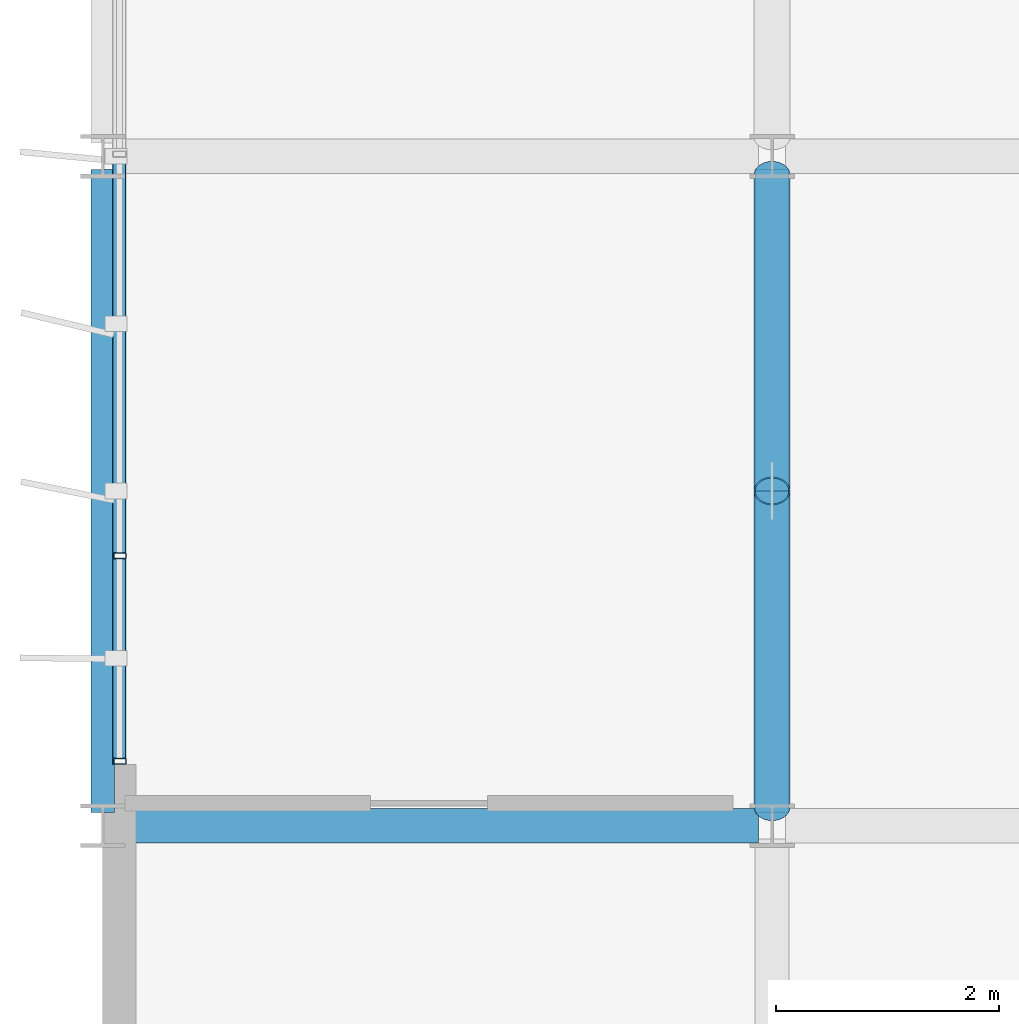
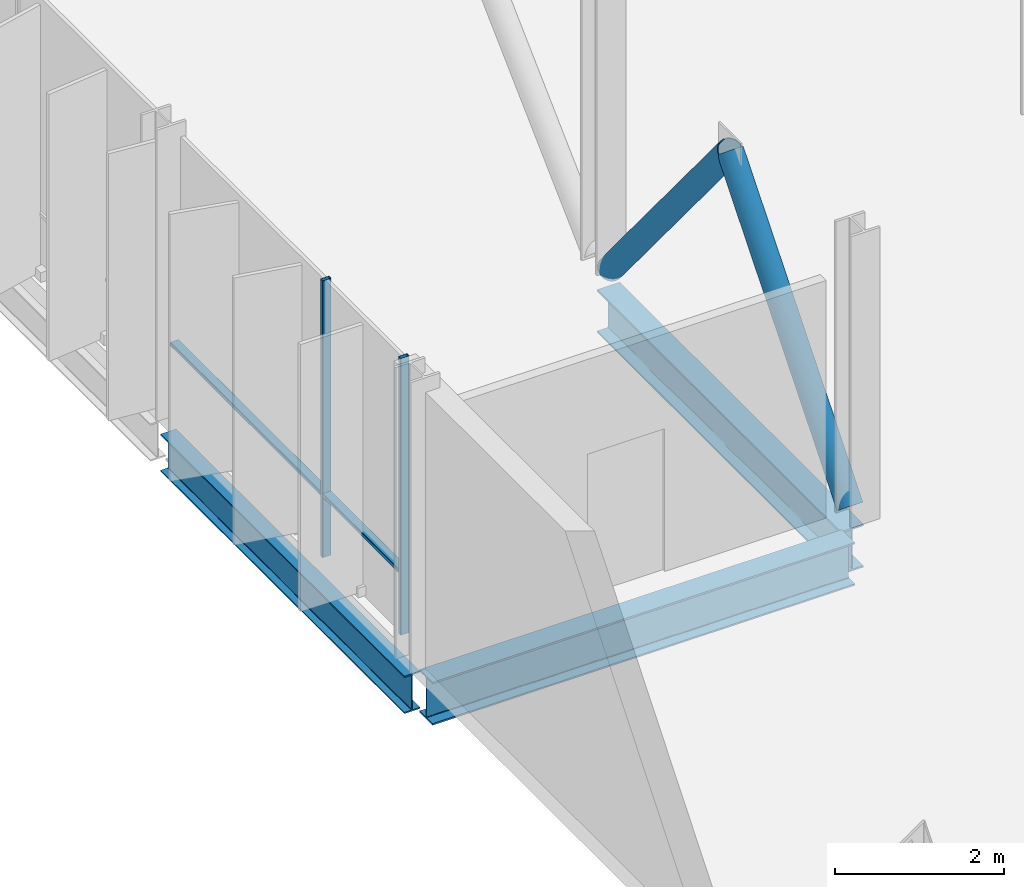
# One storey, part 3 of 33: 6 members, 3 beams, 1 element without a shape of its own.
"""IFC4 building model written with IfcOpenShell, lengths in metres."""

from ifc_helpers import new_model, si_unit, direction, frame, origin, origin_2d, place, context, subcontext, project, spatial, hollow_rectangle, hollow_circle, i_section, extrude, material, layer, layer_set, material_profile, profile_set, type_object, element, aggregate, save


model = new_model("IFC4")

# Units and contexts
model_context = context("Model", 3, precision=1e-05, world=origin(), true_north=direction((0.0, 1.0)))
body_context = subcontext(model_context, "Body", "Model", "MODEL_VIEW")
ifc_project = project(units=[si_unit("LENGTHUNIT", "METRE"), si_unit("AREAUNIT", "SQUARE_METRE"), si_unit("VOLUMEUNIT", "CUBIC_METRE"), si_unit("PLANEANGLEUNIT", "RADIAN"), si_unit("MASSUNIT", "GRAM", prefix="KILO")], contexts=[model_context])

# Site, building, storey
site_placement = place(None, origin())
site = spatial("IfcSite", under=ifc_project, at=site_placement, CompositionType="ELEMENT")
building_placement = place(site_placement, origin())
building = spatial("IfcBuilding", under=site, at=building_placement, Name="Brevholm Reach", CompositionType="ELEMENT")
storey_placement = place(building_placement, frame((0.0, 0.0, 179.0)))
storey = spatial("IfcBuildingStorey", under=building, at=storey_placement, Name="L54", CompositionType="ELEMENT", Elevation=179.0)

# Beams
ifc_material_1 = material(Name="Structural Steel S355J2", Category="steel")
ifc_material_profile_1 = material_profile(ifc_material_1, i_section(OverallWidth=0.210693359375, OverallDepth=0.53955078125, WebThickness=0.01171875, FlangeThickness=0.018798828125, FilletRadius=0.0126953125, at=origin_2d()), Name="UKB 533x210x109")
ifc_profile_set_1 = profile_set([ifc_material_profile_1], Name="Structural Steel S355J2")
beam_type_1 = type_object("IfcBeamType", Name="BM-SP539", PredefinedType="SPANDREL", material=ifc_profile_set_1)
beam_placement = place(storey_placement, frame((0.0, 10.1201171875, -0.52978515625), z_axis=(0.0, 1.0, 0.0), x_axis=(-1.0, 0.0, 0.0)))
element("IfcBeam", 1, at=beam_placement, inside=storey, type_object=beam_type_1, Name="L54 SP-01B Framing Beam", PredefinedType="SPANDREL", context=body_context, shape_type="SweptSolid", body=[
    extrude(i_section(OverallWidth=0.210693359375, OverallDepth=0.53955078125, WebThickness=0.01171875, FlangeThickness=0.018798828125, FilletRadius=0.0126953125, at=origin_2d()), origin(), (0.0, 0.0, 1.0), 5.759765625),
])
ifc_material_2 = material(Name="Structural Steel S355J2", Category="steel")
ifc_material_profile_2 = material_profile(ifc_material_2, i_section(OverallWidth=0.30712890625, OverallDepth=0.6201171875, WebThickness=0.01416015625, FlangeThickness=0.023681640625, FilletRadius=0.0166015625, at=origin_2d()), Name="UKB 610x305x179")
ifc_profile_set_2 = profile_set([ifc_material_profile_2], Name="Structural Steel S355J2")
beam_type_2 = type_object("IfcBeamType", Name="BM-UKB610H", PredefinedType="USERDEFINED", material=ifc_profile_set_2)
for number, where, z_axis, x_axis, name in (
    (2, (0.1201171875, 10.0, -0.570068359375), (1.0, 0.0, 0.0), (0.0, 1.0, 0.0), "L54 G-06 Framing Beam"),
    (3, (6.0, 10.1201171875, -0.570068359375), (0.0, 1.0, 0.0), (-1.0, 0.0, 0.0), "L54 G-06 Framing Beam"),
):
    element("IfcBeam", number, at=place(storey_placement, frame(where, z_axis=z_axis, x_axis=x_axis)), inside=storey, type_object=beam_type_2, Name=name, ObjectType="GIRDER", PredefinedType="USERDEFINED", context=body_context, shape_type="SweptSolid", body=[
        extrude(i_section(OverallWidth=0.30712890625, OverallDepth=0.6201171875, WebThickness=0.01416015625, FlangeThickness=0.023681640625, FilletRadius=0.0166015625, at=origin_2d()), origin(), (0.0, 0.0, 1.0), 5.759765625),
    ])

# Curtain wall, members
ifc_material_3 = material(Name="Dark Anodised Aluminium 6063-T6 and Solar-Control Glass", Category="aluminium")
ifc_layer = layer(ifc_material_3, 0.1201171875)
ifc_layer_set = layer_set([ifc_layer], Name="Dark Anodised Aluminium 6063-T6 and Solar-Control Glass")
curtain_wall_type = type_object("IfcCurtainWallType", Name="CW-06", PredefinedType="NOTDEFINED", material=ifc_layer_set)
curtain_wall_placement = place(storey_placement, origin())
curtain_wall = element("IfcCurtainWall", 4, at=curtain_wall_placement, inside=storey, type_object=curtain_wall_type, Name="L54 Curtain Wall CW-06", PredefinedType="NOTDEFINED")
ifc_material_4 = material(Name="Dark Anodised Aluminium 6063-T6", Category="aluminium")
ifc_material_profile_3 = material_profile(ifc_material_4, hollow_rectangle(XDim=0.054931640625, YDim=0.1201171875, WallThickness=0.00390625, InnerFilletRadius=0.00390625, OuterFilletRadius=0.008056640625, at=origin_2d()), Name="RHS 120x55x4")
ifc_profile_set_3 = profile_set([ifc_material_profile_3], Name="Dark Anodised Aluminium 6063-T6")
member_type_1 = type_object("IfcMemberType", Name="CWM-120", PredefinedType="MULLION", material=ifc_profile_set_3)
member_1_placement = place(storey_placement, frame((0.14990234375, 12.419921875, 0.0), z_axis=(0.0, 0.0, 1.0), x_axis=(0.0, -1.0, 0.0)))
member_1 = element("IfcMember", 5, at=member_1_placement, type_object=member_type_1, Name="CM-120 Mullion 4", PredefinedType="MULLION", context=body_context, shape_type="SweptSolid", body=[
    extrude(hollow_rectangle(XDim=0.054931640625, YDim=0.1201171875, WallThickness=0.00390625, InnerFilletRadius=0.00390625, OuterFilletRadius=0.008056640625, at=origin_2d()), origin(), (0.0, 0.0, 1.0), 3.989990234375),
])
member_2_placement = place(storey_placement, frame((0.14990234375, 10.577392578125, 0.0), z_axis=(0.0, 0.0, 1.0), x_axis=(0.0, -1.0, 0.0)))
member_2 = element("IfcMember", 6, at=member_2_placement, type_object=member_type_1, Name="CM-120 Mullion 5", PredefinedType="MULLION", context=body_context, shape_type="SweptSolid", body=[
    extrude(hollow_rectangle(XDim=0.054931640625, YDim=0.1201171875, WallThickness=0.00390625, InnerFilletRadius=0.00390625, OuterFilletRadius=0.008056640625, at=origin_2d()), origin(), (0.0, 0.0, 1.0), 3.989990234375),
])
ifc_material_5 = material(Name="Dark Anodised Aluminium 6063-T6", Category="aluminium")
ifc_material_profile_4 = material_profile(ifc_material_5, hollow_rectangle(XDim=0.054931640625, YDim=0.1201171875, WallThickness=0.00390625, InnerFilletRadius=0.00390625, OuterFilletRadius=0.008056640625, at=origin_2d()), Name="RHS 120x55x4")
ifc_profile_set_4 = profile_set([ifc_material_profile_4], Name="Dark Anodised Aluminium 6063-T6")
member_type_2 = type_object("IfcMemberType", Name="CWT-120", PredefinedType="NOTDEFINED", material=ifc_profile_set_4)
member_3_placement = place(storey_placement, frame((0.14990234375, 15.992431640625, 0.89990234375), z_axis=(0.0, -1.0, 0.0), x_axis=(0.0, 0.0, 1.0)))
member_3 = element("IfcMember", 7, at=member_3_placement, type_object=member_type_2, Name="CT-120 Transom 3.1", ObjectType="TRANSOM", PredefinedType="USERDEFINED", context=body_context, shape_type="SweptSolid", body=[
    extrude(hollow_rectangle(XDim=0.054931640625, YDim=0.1201171875, WallThickness=0.00390625, InnerFilletRadius=0.00390625, OuterFilletRadius=0.008056640625, at=origin_2d()), origin(), (0.0, 0.0, 1.0), 3.544921875),
])
member_4_placement = place(storey_placement, frame((0.14990234375, 12.392578125, 0.89990234375), z_axis=(0.0, -1.0, 0.0), x_axis=(0.0, 0.0, 1.0)))
member_4 = element("IfcMember", 8, at=member_4_placement, type_object=member_type_2, Name="CT-120 Transom 4.1", ObjectType="TRANSOM", PredefinedType="USERDEFINED", context=body_context, shape_type="SweptSolid", body=[
    extrude(hollow_rectangle(XDim=0.054931640625, YDim=0.1201171875, WallThickness=0.00390625, InnerFilletRadius=0.00390625, OuterFilletRadius=0.008056640625, at=origin_2d()), origin(), (0.0, 0.0, 1.0), 1.78759765625),
])
aggregate(curtain_wall, [member_1, member_2, member_3, member_4])

# Members
ifc_material_6 = material(Name="Structural Steel S355J2H", Category="steel")
ifc_material_profile_5 = material_profile(ifc_material_6, hollow_circle(Radius=0.161865234375, WallThickness=0.012451171875, at=origin_2d()), Name="CHS 323.9x12.5")
ifc_profile_set_5 = profile_set([ifc_material_profile_5], Name="Structural Steel S355J2H")
member_type_3 = type_object("IfcMemberType", Name="MEM-BB-CHS324", PredefinedType="BRACE", material=ifc_profile_set_5)
for number, where, z_axis, x_axis, name in (
    (9, (6.0, 10.169921875, 0.02001953125), (0.0, 0.638027189053, 0.77001383496), (-1.0, 0.0, 0.0), "L54 Belt Truss Brace BB-01A"),
    (10, (6.0, 13.0, 3.435546875), (0.0, 0.638027189053, -0.77001383496), (-1.0, 0.0, 0.0), "L54 Belt Truss Brace BB-01B"),
):
    element("IfcMember", number, at=place(storey_placement, frame(where, z_axis=z_axis, x_axis=x_axis)), inside=storey, type_object=member_type_3, Name=name, PredefinedType="BRACE", context=body_context, shape_type="SweptSolid", body=[
        extrude(hollow_circle(Radius=0.161865234375, WallThickness=0.012451171875, at=origin_2d()), origin(), (0.0, 0.0, 1.0), 4.435791015625),
    ])

save(model, "model.ifc")
